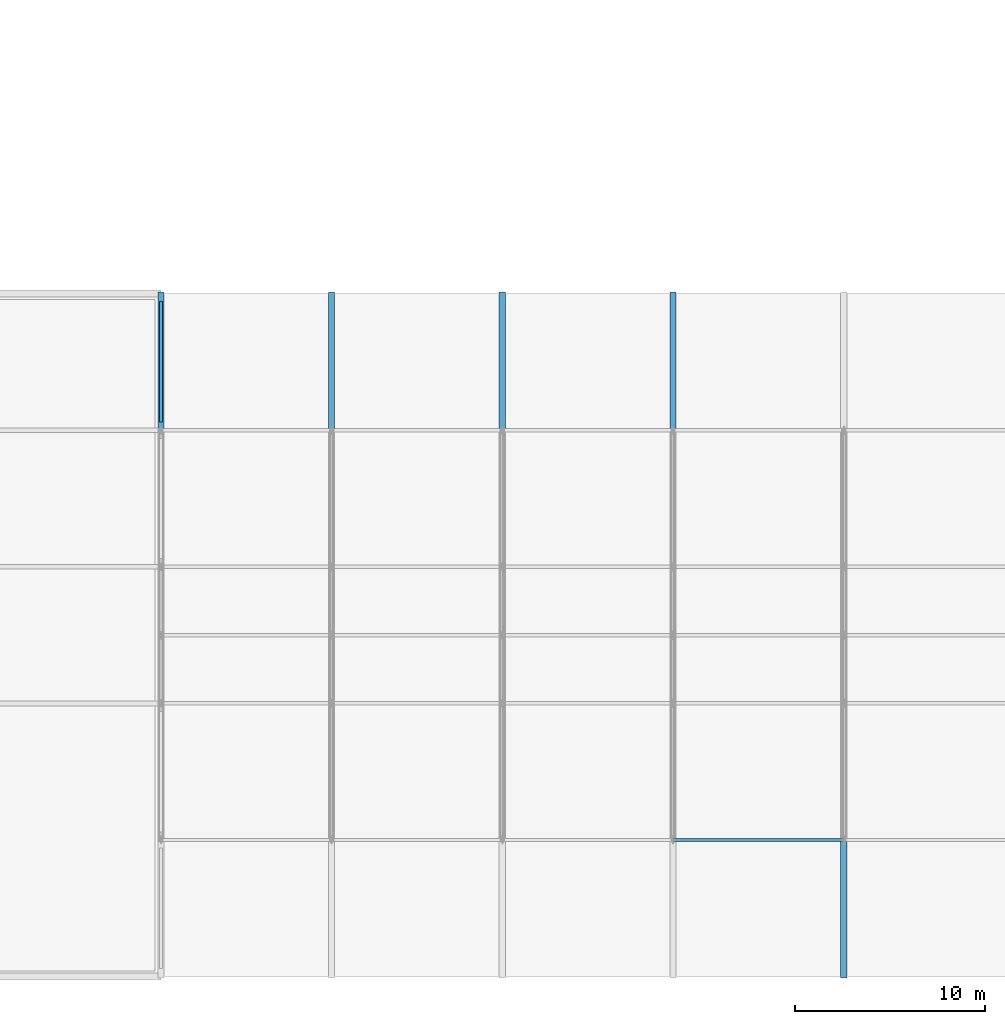
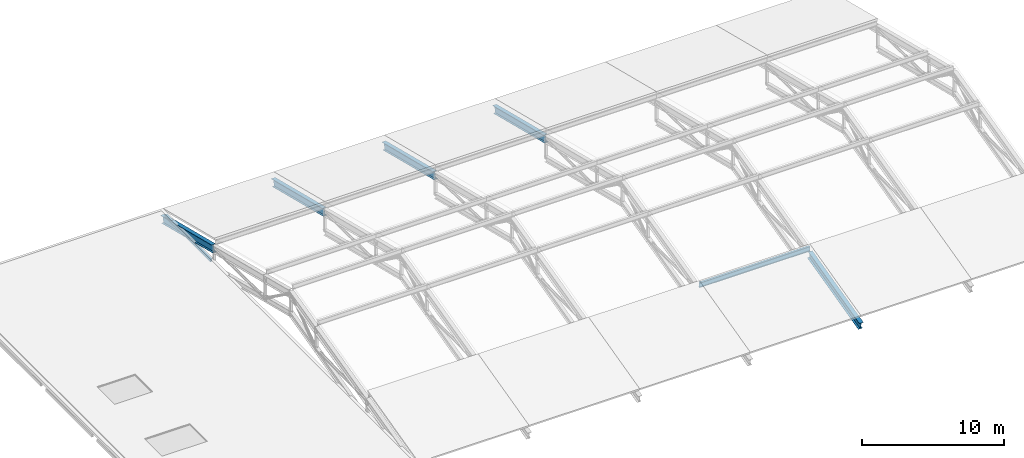
# One storey, part 44 of 124: 6 members, 1 beam.
"""IFC4 building model written with IfcOpenShell, lengths in metres."""

from ifc_helpers import new_model, si_unit, direction, frame, origin, origin_2d, place, context, subcontext, project, spatial, hollow_rectangle, i_section, extrude, material, material_profile, profile_set, type_object, element, save


model = new_model("IFC4")

# Units and contexts
model_context = context("Model", 3, precision=1e-05, world=origin(), true_north=direction((0.0, 1.0)))
body_context = subcontext(model_context, "Body", "Model", "MODEL_VIEW")
ifc_project = project(units=[si_unit("LENGTHUNIT", "METRE"), si_unit("AREAUNIT", "SQUARE_METRE"), si_unit("VOLUMEUNIT", "CUBIC_METRE"), si_unit("PLANEANGLEUNIT", "RADIAN"), si_unit("MASSUNIT", "GRAM", prefix="KILO")], contexts=[model_context])

# Site, building, storey
site_placement = place(None, origin())
site = spatial("IfcSite", under=ifc_project, at=site_placement, CompositionType="ELEMENT")
building_placement = place(site_placement, origin())
building = spatial("IfcBuilding", under=site, at=building_placement, Name="Celestram Park Convention Centre", CompositionType="ELEMENT")
storey_placement = place(building_placement, frame((0.0, 0.0, 15.300048828125)))
storey = spatial("IfcBuildingStorey", under=building, at=storey_placement, Name="L03", CompositionType="ELEMENT", Elevation=15.300048828125)

# Members
ifc_material_1 = material(Name="Steel ASTM A992 Grade 50", Category="steel")
ifc_material_profile_1 = material_profile(ifc_material_1, i_section(OverallWidth=0.327880859375, OverallDepth=0.6220703125, WebThickness=0.015380859375, FlangeThickness=0.0244140625, at=origin_2d()), Name="W24X131")
ifc_profile_set_1 = profile_set([ifc_material_profile_1], Name="Steel ASTM A992 Grade 50")
member_type_1 = type_object("IfcMemberType", Name="STR-CHD-W24X131", PredefinedType="CHORD", material=ifc_profile_set_1)
for number, where, z_axis, x_axis, name in (
    (1, (162.0, 28.800048828125, 0.907958984375), (0.0, 0.970140565046, -0.242543365301), (-1.0, 0.0, 0.0), "V3 arch top chord"),
    (2, (171.0, 28.800048828125, 0.907958984375), (0.0, 0.970140565046, -0.242543365301), (-1.0, 0.0, 0.0), "V3 arch top chord"),
    (3, (180.0, 28.800048828125, 0.907958984375), (0.0, 0.970140565046, -0.242543365301), (-1.0, 0.0, 0.0), "V3 arch top chord"),
    (4, (189.0, 28.800048828125, 0.907958984375), (0.0, 0.970140565046, -0.242543365301), (-1.0, 0.0, 0.0), "V3 arch top chord"),
    (5, (198.0, 0.0, -0.89208984375), (0.0, 0.970140565046, 0.242543365301), (-1.0, 0.0, 0.0), "V3 arch top chord"),
):
    element("IfcMember", number, at=place(storey_placement, frame(where, z_axis=z_axis, x_axis=x_axis)), inside=storey, type_object=member_type_1, Name=name, PredefinedType="CHORD", context=body_context, shape_type="SweptSolid", body=[
        extrude(i_section(OverallWidth=0.327880859375, OverallDepth=0.6220703125, WebThickness=0.015380859375, FlangeThickness=0.0244140625, at=origin_2d()), origin(), (0.0, 0.0, 1.0), 7.421630859375),
    ])
ifc_material_profile_2 = material_profile(ifc_material_1, i_section(OverallWidth=0.177978515625, OverallDepth=0.406005859375, WebThickness=0.0078125, FlangeThickness=0.0126953125, at=origin_2d()), Name="W16X40")
ifc_profile_set_2 = profile_set([ifc_material_profile_2], Name="Steel ASTM A992 Grade 50")
member_type_2 = type_object("IfcMemberType", Name="STR-RFT-W16X40", PredefinedType="RAFTER", material=ifc_profile_set_2)
member_placement = place(storey_placement, frame((189.0, 7.199951171875, 1.421875), z_axis=(1.0, 0.0, 0.0), x_axis=(0.0, 1.0, 0.0)))
element("IfcMember", 6, at=member_placement, inside=storey, type_object=member_type_2, Name="V3 roof purlin", PredefinedType="RAFTER", context=body_context, shape_type="SweptSolid", body=[
    extrude(i_section(OverallWidth=0.177978515625, OverallDepth=0.406005859375, WebThickness=0.0078125, FlangeThickness=0.0126953125, at=origin_2d()), origin(), (0.0, 0.0, 1.0), 9.0),
])

# Beam
ifc_material_2 = material(Name="Steel ASTM A500 Grade C", Category="steel")
ifc_material_profile_3 = material_profile(ifc_material_2, hollow_rectangle(XDim=0.14990234375, YDim=0.25, WallThickness=0.010009765625, at=origin_2d()), Name="HSS250X150X10")
ifc_profile_set_3 = profile_set([ifc_material_profile_3], Name="Steel ASTM A500 Grade C")
beam_type = type_object("IfcBeamType", Name="STR-SPN-HSS250X150", PredefinedType="SPANDREL", material=ifc_profile_set_3)
beam_placement = place(storey_placement, frame((162.0, 29.22607421875, -0.364990234375), z_axis=(0.0, 1.0, 0.0), x_axis=(-1.0, 0.0, 0.0)))
element("IfcBeam", 7, at=beam_placement, inside=storey, type_object=beam_type, Name="Primary Y-girder BG-L03-0265", PredefinedType="SPANDREL", context=body_context, shape_type="SweptSolid", body=[
    extrude(hollow_rectangle(XDim=0.14990234375, YDim=0.25, WallThickness=0.010009765625, at=origin_2d()), origin(), (0.0, 0.0, 1.0), 6.347900390625),
])

save(model, "model.ifc")
